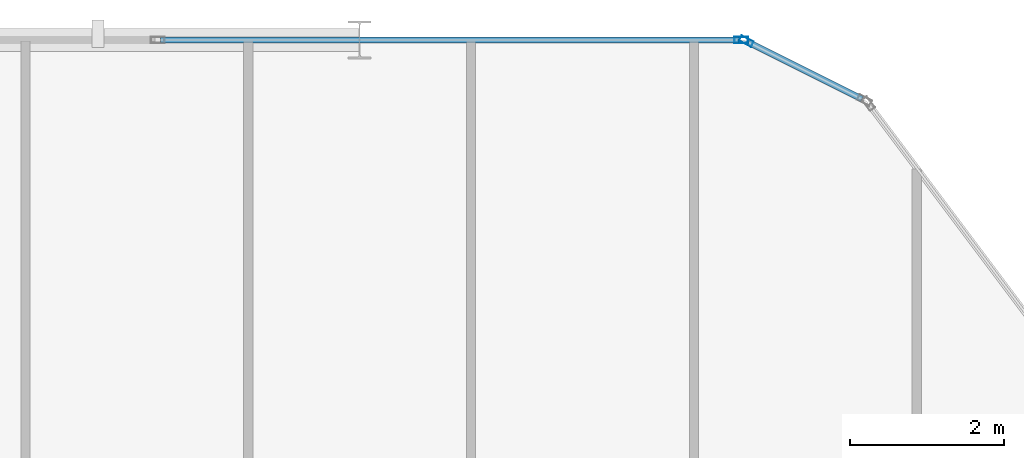
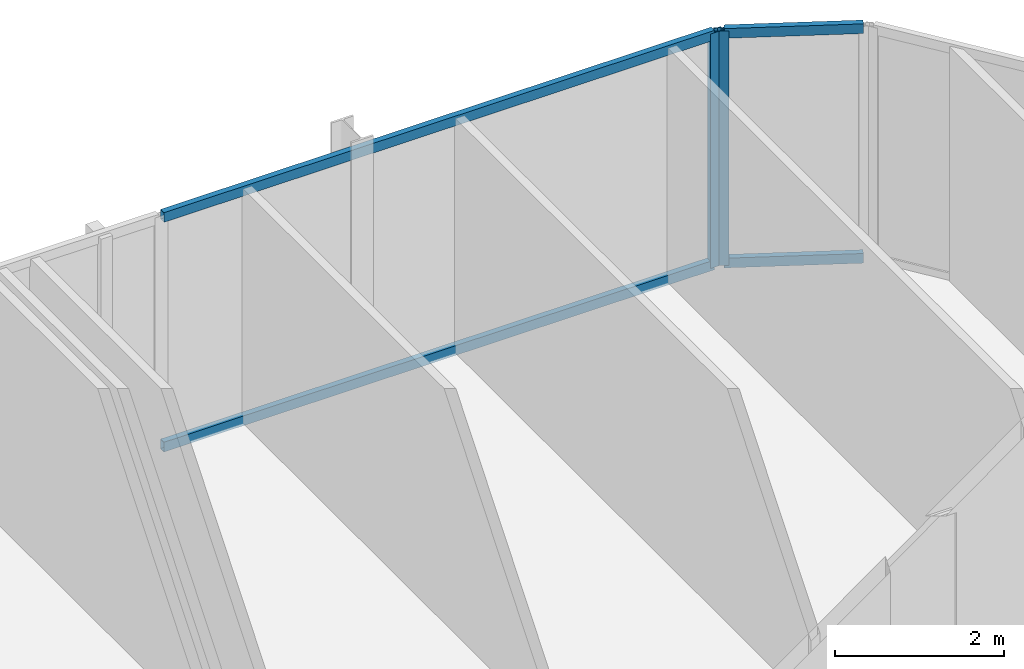
# One storey, part 21 of 31: 6 members, 2 elements without a shape of their own.
"""IFC4 building model written with IfcOpenShell, lengths in metres."""

from ifc_helpers import new_model, si_unit, direction, frame, origin, origin_2d, place, context, subcontext, project, spatial, hollow_rectangle, extrude, material, layer, layer_set, material_profile, profile_set, type_object, element, aggregate, save


model = new_model("IFC4")

# Units and contexts
model_context = context("Model", 3, precision=1e-05, world=origin(), true_north=direction((0.0, 1.0)))
body_context = subcontext(model_context, "Body", "Model", "MODEL_VIEW")
ifc_project = project(units=[si_unit("LENGTHUNIT", "METRE"), si_unit("AREAUNIT", "SQUARE_METRE"), si_unit("VOLUMEUNIT", "CUBIC_METRE"), si_unit("PLANEANGLEUNIT", "RADIAN"), si_unit("MASSUNIT", "GRAM", prefix="KILO")], contexts=[model_context])

# Site, building, storey
site_placement = place(None, origin())
site = spatial("IfcSite", under=ifc_project, at=site_placement, CompositionType="ELEMENT")
building_placement = place(site_placement, origin())
building = spatial("IfcBuilding", under=site, at=building_placement, Name="Keshet Zoharim Tower", CompositionType="ELEMENT")
storey_placement = place(building_placement, frame((0.0, 0.0, 133.5)))
storey = spatial("IfcBuildingStorey", under=building, at=storey_placement, Name="L32", CompositionType="ELEMENT", Elevation=133.5)

# Curtain wall, member
ifc_material = material(Name="Aluminium 6063-T6", Category="aluminium")
ifc_layer = layer(ifc_material, 0.159912109375)
ifc_layer_set = layer_set([ifc_layer], Name="Aluminium 6063-T6")
curtain_wall_type = type_object("IfcCurtainWallType", Name="CW-SYS-03", PredefinedType="NOTDEFINED", material=ifc_layer_set)
curtain_wall_1_placement = place(storey_placement, origin())
curtain_wall_1 = element("IfcCurtainWall", 1, at=curtain_wall_1_placement, inside=storey, type_object=curtain_wall_type, Name="L32 Unitised Curtain Wall 13 Part 5", PredefinedType="NOTDEFINED")
ifc_material_profile_1 = material_profile(ifc_material, hollow_rectangle(XDim=0.080078125, YDim=0.179931640625, WallThickness=0.00439453125, at=origin_2d()), Name="MUL-80x180")
ifc_profile_set_1 = profile_set([ifc_material_profile_1], Name="Aluminium 6063-T6")
member_type_1 = type_object("IfcMemberType", Name="CWM-M18", PredefinedType="MULLION", material=ifc_profile_set_1)
member_1_placement = place(storey_placement, frame((49.965087890625, 53.89990234375, 0.0), z_axis=(0.0, 0.0, 1.0), x_axis=(0.0, 1.0, 0.0)))
member_1 = element("IfcMember", 2, at=member_1_placement, type_object=member_type_1, Name="CW-03 mullion 3", PredefinedType="MULLION", context=body_context, shape_type="SweptSolid", body=[
    extrude(hollow_rectangle(XDim=0.080078125, YDim=0.179931640625, WallThickness=0.00439453125, at=origin_2d()), origin(), (0.0, 0.0, 1.0), 3.385009765625),
])

curtain_wall_2_placement = place(storey_placement, origin())
curtain_wall_2 = element("IfcCurtainWall", 3, at=curtain_wall_2_placement, inside=storey, type_object=curtain_wall_type, Name="L32 Unitised Curtain Wall 14", PredefinedType="NOTDEFINED")
member_2_placement = place(storey_placement, frame((50.03125, 53.88427734375, 0.0), z_axis=(0.0, 0.0, 1.0), x_axis=(0.447213595499, 0.894427191001, 0.0)))
member_2 = element("IfcMember", 4, at=member_2_placement, type_object=member_type_1, Name="CW-03 mullion 1", PredefinedType="MULLION", context=body_context, shape_type="SweptSolid", body=[
    extrude(hollow_rectangle(XDim=0.080078125, YDim=0.179931640625, WallThickness=0.00439453125, at=origin_2d()), origin(), (0.0, 0.0, 1.0), 3.385009765625),
])

# Member
ifc_material_profile_2 = material_profile(ifc_material, hollow_rectangle(XDim=0.080078125, YDim=0.139892578125, WallThickness=0.00390625, at=origin_2d()), Name="TRN-80x140")
ifc_profile_set_2 = profile_set([ifc_material_profile_2], Name="Aluminium 6063-T6")
member_type_2 = type_object("IfcMemberType", Name="CWT-T14", PredefinedType="USERDEFINED", material=ifc_profile_set_2)
member_3_placement = place(storey_placement, frame((42.408935546875, 53.89990234375, 0.034912109375), z_axis=(1.0, 0.0, 0.0), x_axis=(0.0, 1.0, 0.0)))
member_3 = element("IfcMember", 5, at=member_3_placement, type_object=member_type_2, Name="CW-03 transom 2.1", ObjectType="TRANSOM", PredefinedType="USERDEFINED", context=body_context, shape_type="SweptSolid", body=[
    extrude(hollow_rectangle(XDim=0.080078125, YDim=0.139892578125, WallThickness=0.00390625, at=origin_2d()), origin(), (0.0, 0.0, 1.0), 7.52099609375),
])

member_4_placement = place(storey_placement, frame((42.408935546875, 53.89990234375, 3.35009765625), z_axis=(1.0, 0.0, 0.0), x_axis=(0.0, 1.0, 0.0)))
member_4 = element("IfcMember", 6, at=member_4_placement, type_object=member_type_2, Name="CW-03 transom 2.2", ObjectType="TRANSOM", PredefinedType="USERDEFINED", context=body_context, shape_type="SweptSolid", body=[
    extrude(hollow_rectangle(XDim=0.080078125, YDim=0.139892578125, WallThickness=0.00390625, at=origin_2d()), origin(), (0.0, 0.0, 1.0), 7.52099609375),
])

aggregate(curtain_wall_1, [member_1, member_3, member_4])

member_5_placement = place(storey_placement, frame((50.0625, 53.86865234375, 0.034912109375), z_axis=(0.894456801911, -0.447154368775, 0.0), x_axis=(0.447154368775, 0.894456801911, 0.0)))
member_5 = element("IfcMember", 7, at=member_5_placement, type_object=member_type_2, Name="CW-03 transom 1.1", ObjectType="TRANSOM", PredefinedType="USERDEFINED", context=body_context, shape_type="SweptSolid", body=[
    extrude(hollow_rectangle(XDim=0.080078125, YDim=0.139892578125, WallThickness=0.00390625, at=origin_2d()), origin(), (0.0, 0.0, 1.0), 1.64892578125),
])

member_6_placement = place(storey_placement, frame((50.0625, 53.86865234375, 3.35009765625), z_axis=(0.894456801911, -0.447154368775, 0.0), x_axis=(0.447154368775, 0.894456801911, 0.0)))
member_6 = element("IfcMember", 8, at=member_6_placement, type_object=member_type_2, Name="CW-03 transom 1.2", ObjectType="TRANSOM", PredefinedType="USERDEFINED", context=body_context, shape_type="SweptSolid", body=[
    extrude(hollow_rectangle(XDim=0.080078125, YDim=0.139892578125, WallThickness=0.00390625, at=origin_2d()), origin(), (0.0, 0.0, 1.0), 1.64892578125),
])

aggregate(curtain_wall_2, [member_2, member_5, member_6])

save(model, "model.ifc")
